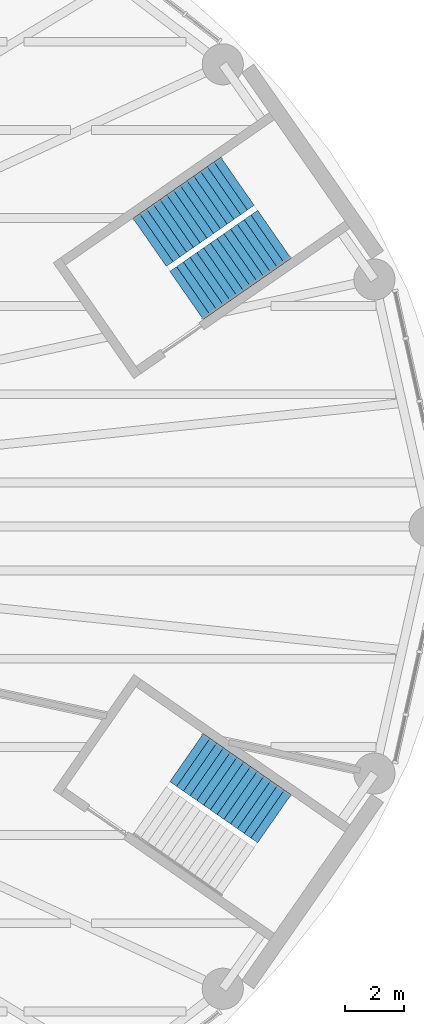
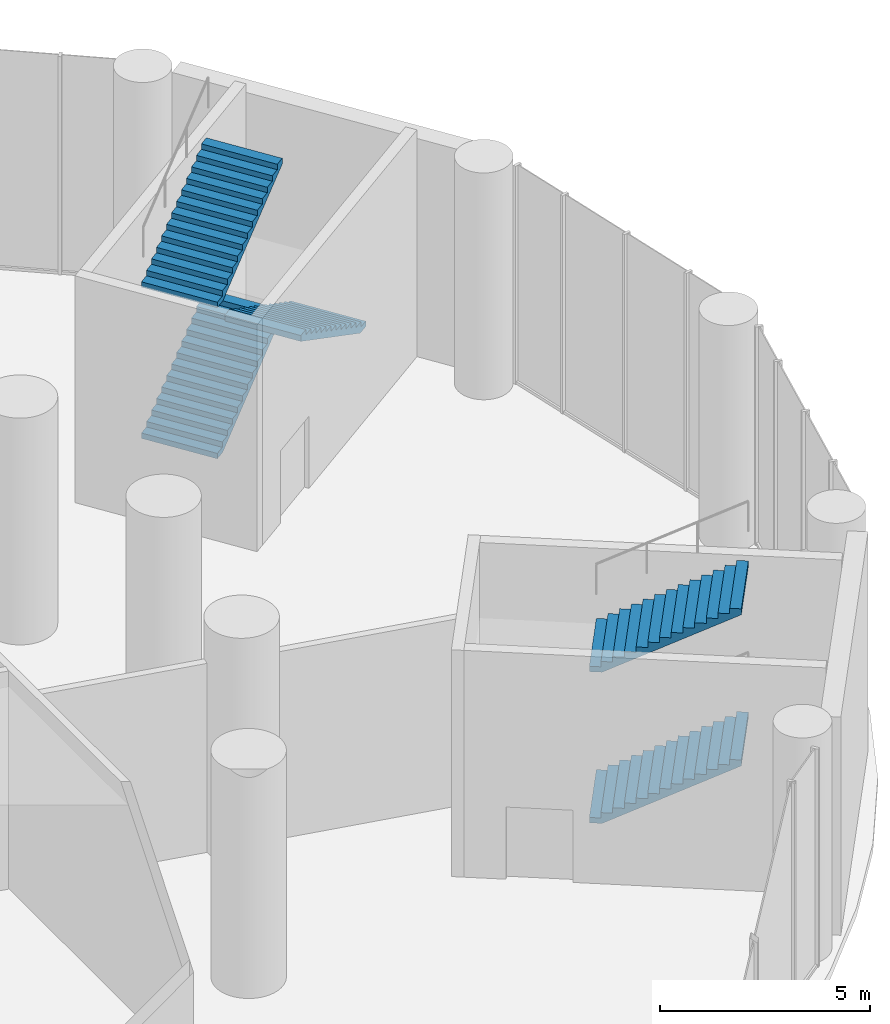
# One storey, part 19 of 22: 5 stair flights, 2 elements without a shape of their own.
"""IFC4 building model written with IfcOpenShell, lengths in metres."""

from ifc_helpers import new_model, si_unit, direction, frame, origin, place, context, subcontext, project, spatial, polyline, outline, extrude, material, type_object, element, aggregate, save


model = new_model("IFC4")

# Units and contexts
model_context = context("Model", 3, precision=1e-05, world=origin(), true_north=direction((0.0, 1.0)))
body_context = subcontext(model_context, "Body", "Model", "MODEL_VIEW")
ifc_project = project(units=[si_unit("LENGTHUNIT", "METRE"), si_unit("AREAUNIT", "SQUARE_METRE"), si_unit("VOLUMEUNIT", "CUBIC_METRE"), si_unit("PLANEANGLEUNIT", "RADIAN"), si_unit("MASSUNIT", "GRAM", prefix="KILO")], contexts=[model_context])

# Site, building, storey
site_placement = place(None, origin())
site = spatial("IfcSite", under=ifc_project, at=site_placement, CompositionType="ELEMENT")
building_placement = place(site_placement, origin())
building = spatial("IfcBuilding", under=site, at=building_placement, Name="Hankou Lantern Tower", CompositionType="ELEMENT")
storey_placement = place(building_placement, frame((0.0, 0.0, 7.199951171875)))
storey = spatial("IfcBuildingStorey", under=building, at=storey_placement, Name="L01", CompositionType="ELEMENT", Elevation=7.199951171875)

# Stair, stair flights
ifc_material_1 = material(Name="Concrete C40", Category="concrete")
stair_type = type_object("IfcStairType", Name="PS66 PODIUM STAIR 6600 RISE", PredefinedType="HALF_TURN_STAIR", material=ifc_material_1)
stair_1_placement = place(storey_placement, origin())
stair_1 = element("IfcStair", 1, at=stair_1_placement, inside=storey, type_object=stair_type, Name="Stair P1 L01", PredefinedType="HALF_TURN_STAIR")
ifc_material_2 = material(Name="Concrete C40", Category="concrete")
stair_flight_type = type_object("IfcStairFlightType", Name="PF14 PODIUM STAIR FLIGHT 2000 X 14 RISERS", PredefinedType="STRAIGHT", material=ifc_material_2)
stair_flight_1_placement = place(storey_placement, frame((31.5673828125, 9.671875, 0.0), z_axis=(0.0, 0.0, 1.0), x_axis=(0.820927362045, 0.571032631507, 0.0)))
stair_flight_1 = element("IfcStairFlight", 2, at=stair_flight_1_placement, type_object=stair_flight_type, Name="P1 flight 1", NumberOfRisers=14, NumberOfTreads=13, PredefinedType="STRAIGHT", RiserHeight=0.157142857, TreadLength=0.28, context=body_context, shape_type="SweptSolid", body=[
    extrude(outline(polyline([(0.0, 0.0), (0.0, 0.1572265625), (0.280029296875, 0.1572265625), (0.280029296875, 0.314208984375), (0.56005859375, 0.314208984375), (0.56005859375, 0.471435546875), (0.840087890625, 0.471435546875), (0.840087890625, 0.628662109375), (1.1201171875, 0.628662109375), (1.1201171875, 0.78564453125), (1.39990234375, 0.78564453125), (1.39990234375, 0.94287109375), (1.679931640625, 0.94287109375), (1.679931640625, 1.10009765625), (1.9599609375, 1.10009765625), (1.9599609375, 1.257080078125), (2.239990234375, 1.257080078125), (2.239990234375, 1.414306640625), (2.52001953125, 1.414306640625), (2.52001953125, 1.571533203125), (2.800048828125, 1.571533203125), (2.800048828125, 1.728515625), (3.080078125, 1.728515625), (3.080078125, 1.8857421875), (3.360107421875, 1.8857421875), (3.360107421875, 2.04296875), (3.639892578125, 2.04296875), (3.639892578125, 2.199951171875), (3.639892578125, 1.870849609375), (0.306396484375, 0.0), (0.0, 0.0)])), frame((0.0, 1.0, 0.0), z_axis=(0.0, -1.0, 0.0), x_axis=(1.0, 0.0, 0.0)), (0.0, 0.0, 1.0), 2.0),
])
stair_flight_2_placement = place(storey_placement, frame((35.811767578125, 9.944580078125, 2.199951171875), z_axis=(0.0, 0.0, 1.0), x_axis=(-0.820927362045, -0.571032631507, 0.0)))
stair_flight_2 = element("IfcStairFlight", 3, at=stair_flight_2_placement, type_object=stair_flight_type, Name="P1 flight 2", NumberOfRisers=14, NumberOfTreads=13, PredefinedType="STRAIGHT", RiserHeight=0.157142857, TreadLength=0.28, context=body_context, shape_type="SweptSolid", body=[
    extrude(outline(polyline([(0.0, 0.0), (0.0, 0.1572265625), (0.280029296875, 0.1572265625), (0.280029296875, 0.314208984375), (0.56005859375, 0.314208984375), (0.56005859375, 0.471435546875), (0.840087890625, 0.471435546875), (0.840087890625, 0.628662109375), (1.1201171875, 0.628662109375), (1.1201171875, 0.78564453125), (1.39990234375, 0.78564453125), (1.39990234375, 0.94287109375), (1.679931640625, 0.94287109375), (1.679931640625, 1.10009765625), (1.9599609375, 1.10009765625), (1.9599609375, 1.257080078125), (2.239990234375, 1.257080078125), (2.239990234375, 1.414306640625), (2.52001953125, 1.414306640625), (2.52001953125, 1.571533203125), (2.800048828125, 1.571533203125), (2.800048828125, 1.728515625), (3.080078125, 1.728515625), (3.080078125, 1.8857421875), (3.360107421875, 1.8857421875), (3.360107421875, 2.04296875), (3.639892578125, 2.04296875), (3.639892578125, 2.199951171875), (3.639892578125, 1.870849609375), (0.306396484375, 0.0), (0.0, 0.0)])), frame((0.0, 1.0, 0.0), z_axis=(0.0, -1.0, 0.0), x_axis=(1.0, 0.0, 0.0)), (0.0, 0.0, 1.0), 2.0),
])
stair_flight_3_placement = place(storey_placement, frame((31.5673828125, 9.671875, 4.400146484375), z_axis=(0.0, 0.0, 1.0), x_axis=(0.820927362045, 0.571032631507, 0.0)))
stair_flight_3 = element("IfcStairFlight", 4, at=stair_flight_3_placement, type_object=stair_flight_type, Name="P1 flight 3", NumberOfRisers=14, NumberOfTreads=13, PredefinedType="STRAIGHT", RiserHeight=0.157142857, TreadLength=0.28, context=body_context, shape_type="SweptSolid", body=[
    extrude(outline(polyline([(0.0, 0.0), (0.0, 0.1572265625), (0.280029296875, 0.1572265625), (0.280029296875, 0.314208984375), (0.56005859375, 0.314208984375), (0.56005859375, 0.471435546875), (0.840087890625, 0.471435546875), (0.840087890625, 0.628662109375), (1.1201171875, 0.628662109375), (1.1201171875, 0.78564453125), (1.39990234375, 0.78564453125), (1.39990234375, 0.94287109375), (1.679931640625, 0.94287109375), (1.679931640625, 1.10009765625), (1.9599609375, 1.10009765625), (1.9599609375, 1.257080078125), (2.239990234375, 1.257080078125), (2.239990234375, 1.414306640625), (2.52001953125, 1.414306640625), (2.52001953125, 1.571533203125), (2.800048828125, 1.571533203125), (2.800048828125, 1.728515625), (3.080078125, 1.728515625), (3.080078125, 1.8857421875), (3.360107421875, 1.8857421875), (3.360107421875, 2.04296875), (3.639892578125, 2.04296875), (3.639892578125, 2.199951171875), (3.639892578125, 1.870849609375), (0.306396484375, 0.0), (0.0, 0.0)])), frame((0.0, 1.0, 0.0), z_axis=(0.0, -1.0, 0.0), x_axis=(1.0, 0.0, 0.0)), (0.0, 0.0, 1.0), 2.0),
])
aggregate(stair_1, [stair_flight_1, stair_flight_2, stair_flight_3])

stair_2_placement = place(storey_placement, origin())
stair_2 = element("IfcStair", 5, at=stair_2_placement, inside=storey, type_object=stair_type, Name="Stair P4 L01", PredefinedType="HALF_TURN_STAIR")
stair_flight_4_placement = place(storey_placement, frame((32.82373046875, -7.865966796875, 0.0), z_axis=(0.0, 0.0, 1.0), x_axis=(0.820927362045, -0.571032631507, 0.0)))
stair_flight_4 = element("IfcStairFlight", 6, at=stair_flight_4_placement, type_object=stair_flight_type, Name="P4 flight 1", NumberOfRisers=14, NumberOfTreads=13, PredefinedType="STRAIGHT", RiserHeight=0.157142857, TreadLength=0.28, context=body_context, shape_type="SweptSolid", body=[
    extrude(outline(polyline([(0.0, 0.0), (0.0, 0.1572265625), (0.280029296875, 0.1572265625), (0.280029296875, 0.314208984375), (0.56005859375, 0.314208984375), (0.56005859375, 0.471435546875), (0.840087890625, 0.471435546875), (0.840087890625, 0.628662109375), (1.1201171875, 0.628662109375), (1.1201171875, 0.78564453125), (1.39990234375, 0.78564453125), (1.39990234375, 0.94287109375), (1.679931640625, 0.94287109375), (1.679931640625, 1.10009765625), (1.9599609375, 1.10009765625), (1.9599609375, 1.257080078125), (2.239990234375, 1.257080078125), (2.239990234375, 1.414306640625), (2.52001953125, 1.414306640625), (2.52001953125, 1.571533203125), (2.800048828125, 1.571533203125), (2.800048828125, 1.728515625), (3.080078125, 1.728515625), (3.080078125, 1.8857421875), (3.360107421875, 1.8857421875), (3.360107421875, 2.04296875), (3.639892578125, 2.04296875), (3.639892578125, 2.199951171875), (3.639892578125, 1.870849609375), (0.306396484375, 0.0), (0.0, 0.0)])), frame((0.0, 1.0, 0.0), z_axis=(0.0, -1.0, 0.0), x_axis=(1.0, 0.0, 0.0)), (0.0, 0.0, 1.0), 2.0),
])
stair_flight_5_placement = place(storey_placement, frame((32.82373046875, -7.865966796875, 4.400146484375), z_axis=(0.0, 0.0, 1.0), x_axis=(0.820927362045, -0.571032631507, 0.0)))
stair_flight_5 = element("IfcStairFlight", 7, at=stair_flight_5_placement, type_object=stair_flight_type, Name="P4 flight 3", NumberOfRisers=14, NumberOfTreads=13, PredefinedType="STRAIGHT", RiserHeight=0.157142857, TreadLength=0.28, context=body_context, shape_type="SweptSolid", body=[
    extrude(outline(polyline([(0.0, 0.0), (0.0, 0.1572265625), (0.280029296875, 0.1572265625), (0.280029296875, 0.314208984375), (0.56005859375, 0.314208984375), (0.56005859375, 0.471435546875), (0.840087890625, 0.471435546875), (0.840087890625, 0.628662109375), (1.1201171875, 0.628662109375), (1.1201171875, 0.78564453125), (1.39990234375, 0.78564453125), (1.39990234375, 0.94287109375), (1.679931640625, 0.94287109375), (1.679931640625, 1.10009765625), (1.9599609375, 1.10009765625), (1.9599609375, 1.257080078125), (2.239990234375, 1.257080078125), (2.239990234375, 1.414306640625), (2.52001953125, 1.414306640625), (2.52001953125, 1.571533203125), (2.800048828125, 1.571533203125), (2.800048828125, 1.728515625), (3.080078125, 1.728515625), (3.080078125, 1.8857421875), (3.360107421875, 1.8857421875), (3.360107421875, 2.04296875), (3.639892578125, 2.04296875), (3.639892578125, 2.199951171875), (3.639892578125, 1.870849609375), (0.306396484375, 0.0), (0.0, 0.0)])), frame((0.0, 1.0, 0.0), z_axis=(0.0, -1.0, 0.0), x_axis=(1.0, 0.0, 0.0)), (0.0, 0.0, 1.0), 2.0),
])
aggregate(stair_2, [stair_flight_4, stair_flight_5])

save(model, "model.ifc")
